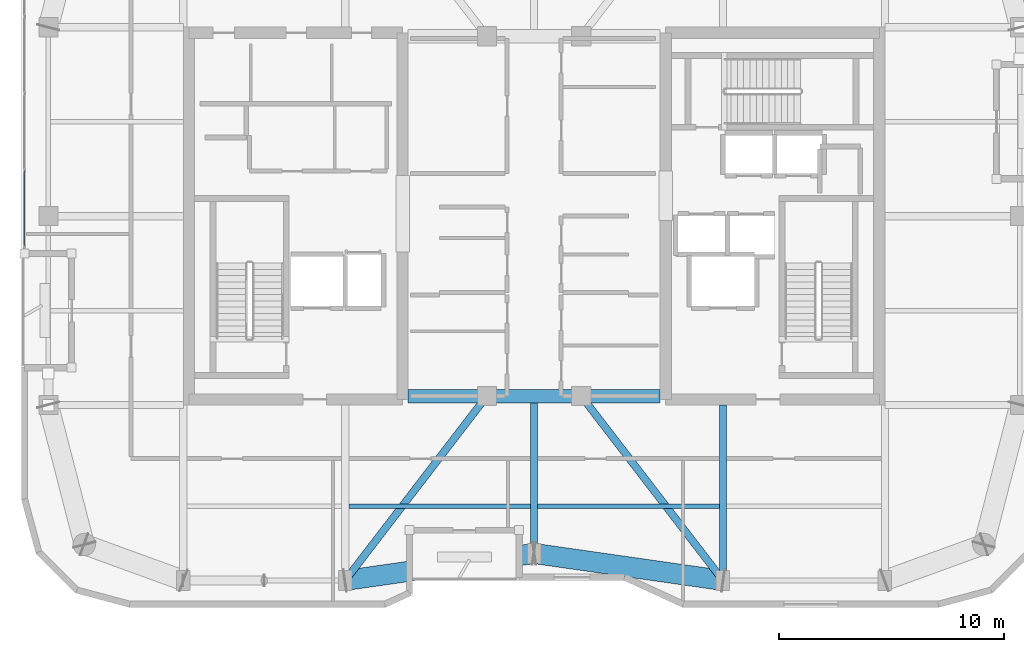
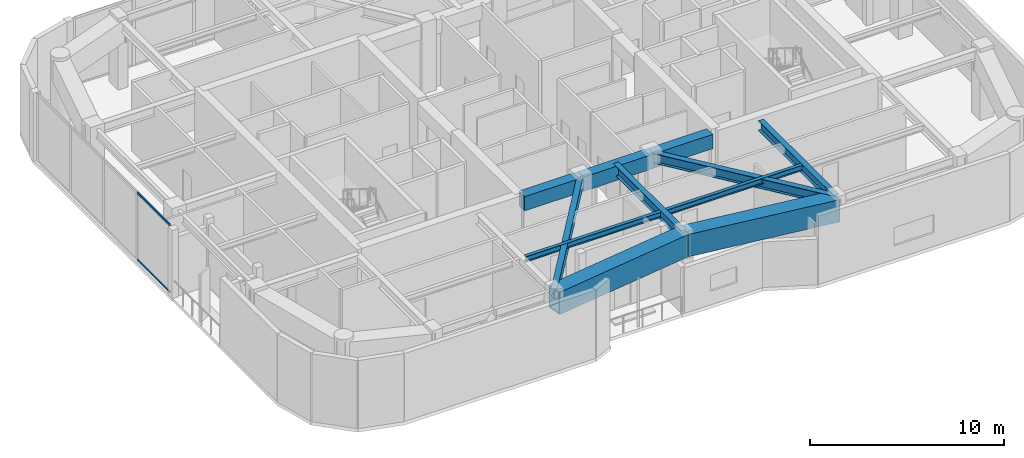
# One storey, part 3 of 16: 11 beams, 2 members, 1 element without a shape of its own.
"""IFC4 building model written with IfcOpenShell, lengths in metres."""

import ifcopenshell
import ifcopenshell.guid

model = None  # the IFC model being written
_history = None  # IfcOwnerHistory: only IFC2X3 demands one
_inside = {}  # id of a spatial element -> (the spatial element, [elements in it])
_under = {}  # id of a project, library or spatial element -> (it, [spatial elements below it])
_declared = {}  # id of a project -> (the project, [libraries it declares])
_typed = {}  # id of a type object -> (the type object, [elements of that type])
_made_of = {}  # id of a material, layer set ... -> (it, [elements and type objects made of it])


def new_model(schema):
    """Start an empty IFC model of exactly this schema.

    Asked for "IFC4X3", IfcOpenShell would pick the latest addendum, in which some entities
    have other attributes; the version numbers below select the first issue.
    IFC2X3 requires an IfcOwnerHistory on every rooted entity: one is made here for all.
    """
    global model, _history
    if schema == "IFC4X3":
        model = ifcopenshell.file(schema_version=(4, 3, 0, 0))
    else:
        model = ifcopenshell.file(schema=schema)
    _inside.clear()
    _under.clear()
    _declared.clear()
    _typed.clear()
    _made_of.clear()
    _history = None
    if model.schema == "IFC2X3":
        org = make("IfcOrganization", Name="unknown")
        user = make(
            "IfcPersonAndOrganization",
            ThePerson=make("IfcPerson", FamilyName="unknown"),
            TheOrganization=org,
        )
        app = make(
            "IfcApplication",
            ApplicationDeveloper=org,
            Version="unknown",
            ApplicationFullName="unknown",
            ApplicationIdentifier="unknown",
        )
        _history = make(
            "IfcOwnerHistory",
            OwningUser=user,
            OwningApplication=app,
            ChangeAction="ADDED",
            CreationDate=0,
        )
    return model


def make(cls, **values):
    """One entity of the class cls with the attributes given. An attribute that is None is left unset."""
    return model.create_entity(
        cls, **{name: value for name, value in values.items() if value is not None}
    )


def rooted(cls, **values):
    """An entity with a GlobalId (a new one), such as an element, a storey or a relation."""
    return make(cls, GlobalId=ifcopenshell.guid.new(), OwnerHistory=_history, **values)


def si_unit(unit_type, name, prefix=None):
    """IfcSIUnit, for example si_unit("LENGTHUNIT", "METRE", prefix="MILLI")."""
    return make("IfcSIUnit", UnitType=unit_type, Prefix=prefix, Name=name)


def assignment(units):
    """IfcUnitAssignment: the units of a project."""
    return None if units is None else make("IfcUnitAssignment", Units=units)


def point(xyz):
    """IfcCartesianPoint."""
    return None if xyz is None else make("IfcCartesianPoint", Coordinates=xyz)


def direction(xyz):
    """IfcDirection."""
    return None if xyz is None else make("IfcDirection", DirectionRatios=xyz)


def frame(location, z_axis=None, x_axis=None):
    """IfcAxis2Placement3D, a coordinate frame: its origin and axes. An axis left out is left unset."""
    return make(
        "IfcAxis2Placement3D",
        Location=point(location),
        Axis=direction(z_axis),
        RefDirection=direction(x_axis),
    )


def frame_2d(location, x_axis=None):
    """IfcAxis2Placement2D, a coordinate frame in the plane: its origin and x axis."""
    return make(
        "IfcAxis2Placement2D", Location=point(location), RefDirection=direction(x_axis)
    )


def origin():
    """The frame at (0, 0, 0) with its axes left unset."""
    return frame((0.0, 0.0, 0.0))


def origin_2d():
    """The frame at (0, 0) in the plane with its x axis left unset."""
    return frame_2d((0.0, 0.0))


def place(relative_to, where):
    """IfcLocalPlacement: puts the frame where relative to a parent placement (None: the world)."""
    return make(
        "IfcLocalPlacement", PlacementRelTo=relative_to, RelativePlacement=where
    )


def context(
    kind, dimensions, precision=None, world=None, true_north=None, identifier=None
):
    """IfcGeometricRepresentationContext, for example the 3D "Model" context."""
    return make(
        "IfcGeometricRepresentationContext",
        ContextIdentifier=identifier,
        ContextType=kind,
        CoordinateSpaceDimension=dimensions,
        Precision=precision,
        WorldCoordinateSystem=world,
        TrueNorth=true_north,
    )


def subcontext(parent, identifier, kind, view, scale=None):
    """IfcGeometricRepresentationSubContext, for example "Body" below "Model"."""
    return make(
        "IfcGeometricRepresentationSubContext",
        ContextIdentifier=identifier,
        ContextType=kind,
        ParentContext=parent,
        TargetScale=scale,
        TargetView=view,
    )


def project(units=None, contexts=None):
    """IfcProject with its units and contexts."""
    return rooted(
        "IfcProject",
        Name="project",
        RepresentationContexts=contexts,
        UnitsInContext=assignment(units),
    )


def spatial(cls, under=None, at=None, **own):
    """A site, building, storey or space (cls), placed at a placement, below another one or the project."""
    s = rooted(cls, ObjectPlacement=at, **own)
    if under is not None:
        _under.setdefault(under.id(), (under, []))[1].append(s)
    return s


def profile(cls, at=None, kind="AREA", **sizes):
    """A parametric profile (cls). Its sizes go by their IFC names, for example OverallWidth=200.0."""
    return make(cls, ProfileType=kind, Position=at, **sizes)


def rectangle(**sizes):
    """IfcRectangleProfileDef."""
    return profile("IfcRectangleProfileDef", **sizes)


def hollow_rectangle(**sizes):
    """IfcRectangleHollowProfileDef."""
    return profile("IfcRectangleHollowProfileDef", **sizes)


def i_section(**sizes):
    """IfcIShapeProfileDef."""
    return profile("IfcIShapeProfileDef", **sizes)


def extrude(swept, where, along, depth):
    """IfcExtrudedAreaSolid: the profile swept, set in the frame where, extruded along a direction by depth."""
    return make(
        "IfcExtrudedAreaSolid",
        SweptArea=swept,
        Position=where,
        ExtrudedDirection=direction(along),
        Depth=depth,
    )


def shape(context_of_items, identifier, shape_type, items):
    """IfcShapeRepresentation: the items that make up one representation, for example the "Body"."""
    return make(
        "IfcShapeRepresentation",
        ContextOfItems=context_of_items,
        RepresentationIdentifier=identifier,
        RepresentationType=shape_type,
        Items=items,
    )


def material(Name=None, Category=None):
    """IfcMaterial."""
    return make("IfcMaterial", Name=Name, Category=Category)


def layer(
    of_material, thickness, ventilated=None, Name=None, Category=None, Priority=None
):
    """IfcMaterialLayer: one layer of a wall or slab, of a material (None: an air gap)."""
    return make(
        "IfcMaterialLayer",
        Material=of_material,
        LayerThickness=thickness,
        IsVentilated=ventilated,
        Name=Name,
        Category=Category,
        Priority=Priority,
    )


def layer_set(layers, Name=None):
    """IfcMaterialLayerSet."""
    return make("IfcMaterialLayerSet", MaterialLayers=layers, LayerSetName=Name)


def material_profile(
    of_material, cross_section, Name=None, Category=None, Priority=None
):
    """IfcMaterialProfile: a cross section and its material."""
    return make(
        "IfcMaterialProfile",
        Name=Name,
        Material=of_material,
        Profile=cross_section,
        Priority=Priority,
        Category=Category,
    )


def profile_set(profiles, Name=None, composite=None):
    """IfcMaterialProfileSet."""
    return make(
        "IfcMaterialProfileSet",
        Name=Name,
        MaterialProfiles=profiles,
        CompositeProfile=composite,
    )


def made_of(thing, what):
    """Note that an element or type object is made of a material, layer set ...; save() writes the relation."""
    if what is not None:
        _made_of.setdefault(what.id(), (what, []))[1].append(thing)
    return thing


def type_object(cls, material=None, **own):
    """A type object (cls), such as IfcWallType, which elements share."""
    return made_of(rooted(cls, **own), material)


def element(
    cls,
    number,
    at=None,
    inside=None,
    cuts=None,
    type_object=None,
    material=None,
    context=None,
    identifier="Body",
    shape_type=None,
    held_by="IfcProductDefinitionShape",
    body=None,
    shapes=None,
    **own,
):
    """One element of the class cls, such as IfcWall. Its Tag is "e" and its number.

    at: its placement. inside: the storey or other place that contains it. cuts: it is an
    opening in that element (IfcRelVoidsElement). A single representation is given by context,
    identifier, shape_type and body (its items); several are given by shapes. held_by: the class
    of the entity that holds the representations. save() writes the other relations.
    """
    e = rooted(cls, Tag="e%d" % number, ObjectPlacement=at, **own)
    if body is not None:
        shapes = [shape(context, identifier, shape_type, body)]
    if shapes is not None:
        e.Representation = make(held_by, Representations=shapes)
    if inside is not None:
        _inside.setdefault(inside.id(), (inside, []))[1].append(e)
    if cuts is not None:
        rooted(
            "IfcRelVoidsElement", RelatingBuildingElement=cuts, RelatedOpeningElement=e
        )
    if type_object is not None:
        _typed.setdefault(type_object.id(), (type_object, []))[1].append(e)
    return made_of(e, material)


def aggregate(whole, parts):
    """IfcRelAggregates: a whole, such as a stair, and the parts it consists of."""
    return rooted("IfcRelAggregates", RelatingObject=whole, RelatedObjects=parts)


def save(model, path):
    """Write the relations noted so far, then the file.

    IfcRelAggregates (storeys below a building ...), IfcRelContainedInSpatialStructure (elements
    in a storey), IfcRelDefinesByType, IfcRelAssociatesMaterial and IfcRelDeclares: one each for
    every whole, place, type object, material and project.
    """
    for whole, parts in _under.values():
        aggregate(whole, parts)
    for where, things in _inside.values():
        rooted(
            "IfcRelContainedInSpatialStructure",
            RelatedElements=things,
            RelatingStructure=where,
        )
    for kind, things in _typed.values():
        rooted("IfcRelDefinesByType", RelatedObjects=things, RelatingType=kind)
    for what, things in _made_of.values():
        rooted("IfcRelAssociatesMaterial", RelatedObjects=things, RelatingMaterial=what)
    for by, libraries in _declared.values():
        rooted("IfcRelDeclares", RelatingContext=by, RelatedDefinitions=libraries)
    model.write(path)


model = new_model("IFC4")

# Units and contexts
model_context = context("Model", 3, precision=1e-05, world=origin(), true_north=direction((0.0, 1.0)))
body_context = subcontext(model_context, "Body", "Model", "MODEL_VIEW")
ifc_project = project(units=[si_unit("LENGTHUNIT", "METRE"), si_unit("AREAUNIT", "SQUARE_METRE"), si_unit("VOLUMEUNIT", "CUBIC_METRE"), si_unit("PLANEANGLEUNIT", "RADIAN"), si_unit("MASSUNIT", "GRAM", prefix="KILO")], contexts=[model_context])

# Site, building, storey
site_placement = place(None, origin())
site = spatial("IfcSite", under=ifc_project, at=site_placement, CompositionType="ELEMENT")
building_placement = place(site_placement, origin())
building = spatial("IfcBuilding", under=site, at=building_placement, Name="Kiyonajd Concourse Tower", CompositionType="ELEMENT")
storey_placement = place(building_placement, frame((0.0, 0.0, 337.5)))
storey = spatial("IfcBuildingStorey", under=building, at=storey_placement, Name="L85", CompositionType="ELEMENT", Elevation=337.5)

# Beams
ifc_material_1 = material(Name="Concrete C60/75", Category="concrete")
ifc_material_profile_1 = material_profile(ifc_material_1, rectangle(XDim=0.60009765625, YDim=0.89990234375, at=origin_2d()), Name="RCBM-600x900")
ifc_profile_set_1 = profile_set([ifc_material_profile_1], Name="Concrete C60/75")
beam_type_1 = type_object("IfcBeamType", Name="BM-COUP-900", PredefinedType="LINTEL", material=ifc_profile_set_1)
beam_1_placement = place(storey_placement, frame((42.39990234375, 28.0, 3.830078125), z_axis=(1.0, 0.0, 0.0), x_axis=(0.0, 1.0, 0.0)))
element("IfcBeam", 1, at=beam_1_placement, inside=storey, type_object=beam_type_1, Name="L85 Core Coupling Beam S1", PredefinedType="LINTEL", context=body_context, shape_type="SweptSolid", body=[
    extrude(rectangle(XDim=0.60009765625, YDim=0.89990234375, at=origin_2d()), origin(), (0.0, 0.0, 1.0), 3.5),
])
beam_2_placement = place(storey_placement, frame((45.89990234375, 28.0, 3.830078125), z_axis=(1.0, 0.0, 0.0), x_axis=(0.0, 1.0, 0.0)))
element("IfcBeam", 2, at=beam_2_placement, inside=storey, type_object=beam_type_1, Name="L85 Core Coupling Beam S2", PredefinedType="LINTEL", context=body_context, shape_type="SweptSolid", body=[
    extrude(rectangle(XDim=0.60009765625, YDim=0.89990234375, at=origin_2d()), origin(), (0.0, 0.0, 1.0), 4.2001953125),
])
beam_3_placement = place(storey_placement, frame((50.10009765625, 28.0, 3.830078125), z_axis=(1.0, 0.0, 0.0), x_axis=(0.0, 1.0, 0.0)))
element("IfcBeam", 3, at=beam_3_placement, inside=storey, type_object=beam_type_1, Name="L85 Core Coupling Beam S3", PredefinedType="LINTEL", context=body_context, shape_type="SweptSolid", body=[
    extrude(rectangle(XDim=0.60009765625, YDim=0.89990234375, at=origin_2d()), origin(), (0.0, 0.0, 1.0), 3.5),
])
ifc_material_2 = material(Name="Steel ASTM A992 Grade 50", Category="steel")
ifc_material_profile_2 = material_profile(ifc_material_2, i_section(OverallWidth=0.205078125, OverallDepth=0.35400390625, WebThickness=0.009521484375, FlangeThickness=0.016845703125, at=origin_2d()), Name="W360X79")
ifc_profile_set_2 = profile_set([ifc_material_profile_2], Name="Steel ASTM A992 Grade 50")
beam_type_2 = type_object("IfcBeamType", Name="BM-JST-360", PredefinedType="JOIST", material=ifc_profile_set_2)
for number, where, z_axis, x_axis, name in (
    (4, (39.761962890625, 23.10009765625, 4.10302734375), (1.0, 0.0, 0.0), (0.0, 1.0, 0.0), "L85 Secondary Floor Joist"),
    (5, (48.162109375, 23.10009765625, 4.10302734375), (1.0, 0.0, 0.0), (0.0, 1.0, 0.0), "L85 Secondary Floor Joist"),
):
    element("IfcBeam", number, at=place(storey_placement, frame(where, z_axis=z_axis, x_axis=x_axis)), inside=storey, type_object=beam_type_2, Name=name, PredefinedType="JOIST", context=body_context, shape_type="SweptSolid", body=[
        extrude(i_section(OverallWidth=0.205078125, OverallDepth=0.35400390625, WebThickness=0.009521484375, FlangeThickness=0.016845703125, at=origin_2d()), origin(), (0.0, 0.0, 1.0), 8.075927734375),
    ])
ifc_material_profile_3 = material_profile(ifc_material_2, i_section(OverallWidth=0.326904296875, OverallDepth=0.6220703125, WebThickness=0.015380859375, FlangeThickness=0.0244140625, at=origin_2d()), Name="W610X195")
ifc_profile_set_3 = profile_set([ifc_material_profile_3], Name="Steel ASTM A992 Grade 50")
beam_type_3 = type_object("IfcBeamType", Name="BM-TWR-610A", PredefinedType="BEAM", material=ifc_profile_set_3)
for number, where, z_axis, x_axis, name in (
    (6, (39.60009765625, 19.800048828125, 3.968994140625), (0.609233709922, 0.792990722956, 0.0), (-0.792990722956, 0.609233709922, 0.0), "L85 Core Tie Girder"),
    (7, (50.10009765625, 28.0, 3.968994140625), (0.609233709922, -0.792990722956, 0.0), (0.792990722956, 0.609233709922, 0.0), "L85 Core Tie Girder"),
):
    element("IfcBeam", number, at=place(storey_placement, frame(where, z_axis=z_axis, x_axis=x_axis)), inside=storey, type_object=beam_type_3, Name=name, PredefinedType="BEAM", context=body_context, shape_type="SweptSolid", body=[
        extrude(i_section(OverallWidth=0.326904296875, OverallDepth=0.6220703125, WebThickness=0.015380859375, FlangeThickness=0.0244140625, at=origin_2d()), origin(), (0.0, 0.0, 1.0), 10.340576171875),
    ])
ifc_material_profile_4 = material_profile(ifc_material_2, i_section(OverallWidth=0.323974609375, OverallDepth=0.611083984375, WebThickness=0.0126953125, FlangeThickness=0.01904296875, at=origin_2d()), Name="W610X155")
ifc_profile_set_4 = profile_set([ifc_material_profile_4], Name="Steel ASTM A992 Grade 50")
beam_type_4 = type_object("IfcBeamType", Name="BM-TWR-610B", PredefinedType="BEAM", material=ifc_profile_set_4)
beam_4_placement = place(storey_placement, frame((56.39990234375, 19.800048828125, 3.974609375), z_axis=(0.0, 1.0, 0.0), x_axis=(-1.0, 0.0, 0.0)))
element("IfcBeam", 8, at=beam_4_placement, inside=storey, type_object=beam_type_4, Name="L85 South Lease Girder", PredefinedType="BEAM", context=body_context, shape_type="SweptSolid", body=[
    extrude(i_section(OverallWidth=0.323974609375, OverallDepth=0.611083984375, WebThickness=0.0126953125, FlangeThickness=0.01904296875, at=origin_2d()), origin(), (0.0, 0.0, 1.0), 7.800048828125),
])
beam_5_placement = place(storey_placement, frame((48.0, 21.0, 3.974609375), z_axis=(0.0, 1.0, 0.0), x_axis=(-1.0, 0.0, 0.0)))
element("IfcBeam", 9, at=beam_5_placement, inside=storey, type_object=beam_type_4, Name="L85 South Ribbon Girder", PredefinedType="BEAM", context=body_context, shape_type="SweptSolid", body=[
    extrude(i_section(OverallWidth=0.323974609375, OverallDepth=0.611083984375, WebThickness=0.0126953125, FlangeThickness=0.01904296875, at=origin_2d()), origin(), (0.0, 0.0, 1.0), 7.0),
])
ifc_material_3 = material(Name="Steel ASTM A572 Grade 50", Category="steel")
ifc_material_profile_5 = material_profile(ifc_material_3, hollow_rectangle(XDim=0.89990234375, YDim=1.39990234375, WallThickness=0.070068359375, at=origin_2d()), Name="BOX-1400x900x70")
ifc_profile_set_5 = profile_set([ifc_material_profile_5], Name="Steel ASTM A572 Grade 50")
beam_type_5 = type_object("IfcBeamType", Name="BM-XFER-1400", PredefinedType="BEAM", material=ifc_profile_set_5)
for number, where, z_axis, x_axis, name in (
    (10, (39.60009765625, 19.800048828125, 3.580078125), (0.989950069105, 0.141417328072, 0.0), (-0.141417328072, 0.989950069105, 0.0), "L85 Perimeter Bundled Tube Spandrel"),
    (11, (48.0, 21.0, 3.580078125), (0.989950069105, -0.141417328072, 0.0), (0.141417328072, 0.989950069105, 0.0), "L85 Perimeter Bundled Tube Spandrel"),
):
    element("IfcBeam", number, at=place(storey_placement, frame(where, z_axis=z_axis, x_axis=x_axis)), inside=storey, type_object=beam_type_5, Name=name, PredefinedType="BEAM", context=body_context, shape_type="SweptSolid", body=[
        extrude(hollow_rectangle(XDim=0.89990234375, YDim=1.39990234375, WallThickness=0.070068359375, at=origin_2d()), origin(), (0.0, 0.0, 1.0), 8.485107421875),
    ])

# Curtain wall, members
ifc_material_4 = material(Name="Thermally Broken Anodised Aluminium", Category="aluminium")
ifc_layer = layer(ifc_material_4, 0.179931640625)
ifc_layer_set = layer_set([ifc_layer], Name="Thermally Broken Anodised Aluminium")
curtain_wall_type = type_object("IfcCurtainWallType", Name="CW-SYS-04", PredefinedType="NOTDEFINED", material=ifc_layer_set)
curtain_wall_placement = place(storey_placement, origin())
curtain_wall = element("IfcCurtainWall", 12, at=curtain_wall_placement, inside=storey, type_object=curtain_wall_type, Name="L85 Unitised Curtain Wall CW4", PredefinedType="NOTDEFINED")
ifc_material_profile_6 = material_profile(ifc_material_4, hollow_rectangle(XDim=0.06494140625, YDim=0.139892578125, WallThickness=0.00390625, at=origin_2d()), Name="TRAN-65x140")
ifc_profile_set_6 = profile_set([ifc_material_profile_6], Name="Thermally Broken Anodised Aluminium")
member_type = type_object("IfcMemberType", Name="MB-CW-TRAN1", PredefinedType="USERDEFINED", material=ifc_profile_set_6)
member_1_placement = place(storey_placement, frame((25.340087890625, 34.695068359375, 0.032470703125), z_axis=(0.0, 1.0, 0.0), x_axis=(-1.0, 0.0, 0.0)))
member_1 = element("IfcMember", 13, at=member_1_placement, type_object=member_type, Name="CW4 transom 1.1", ObjectType="TRANSOM", PredefinedType="USERDEFINED", context=body_context, shape_type="SweptSolid", body=[
    extrude(hollow_rectangle(XDim=0.06494140625, YDim=0.139892578125, WallThickness=0.00390625, at=origin_2d()), origin(), (0.0, 0.0, 1.0), 3.31787109375),
])
member_2_placement = place(storey_placement, frame((25.340087890625, 34.695068359375, 4.24755859375), z_axis=(0.0, 1.0, 0.0), x_axis=(-1.0, 0.0, 0.0)))
member_2 = element("IfcMember", 14, at=member_2_placement, type_object=member_type, Name="CW4 transom 1.2", ObjectType="TRANSOM", PredefinedType="USERDEFINED", context=body_context, shape_type="SweptSolid", body=[
    extrude(hollow_rectangle(XDim=0.06494140625, YDim=0.139892578125, WallThickness=0.00390625, at=origin_2d()), origin(), (0.0, 0.0, 1.0), 3.31787109375),
])
aggregate(curtain_wall, [member_1, member_2])

save(model, "model.ifc")
